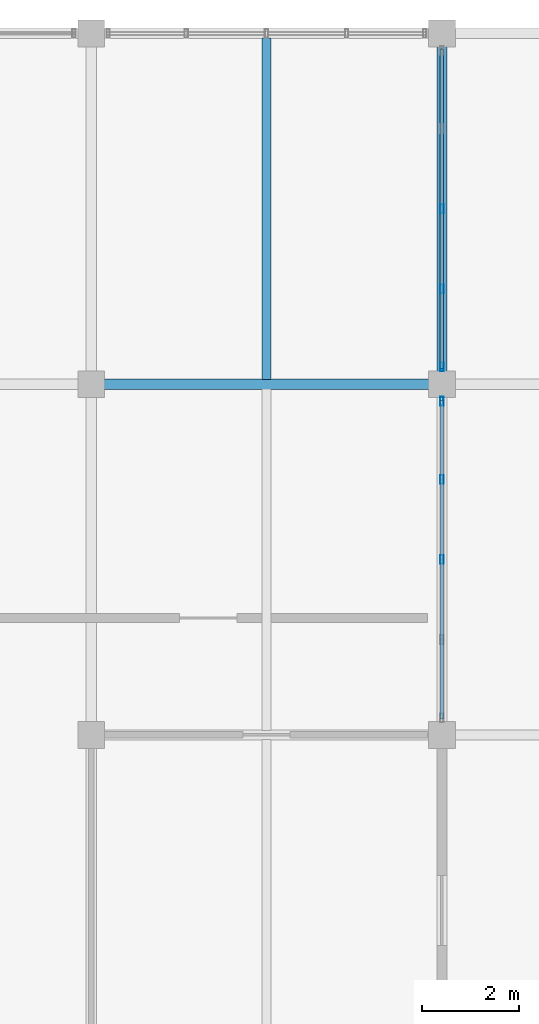
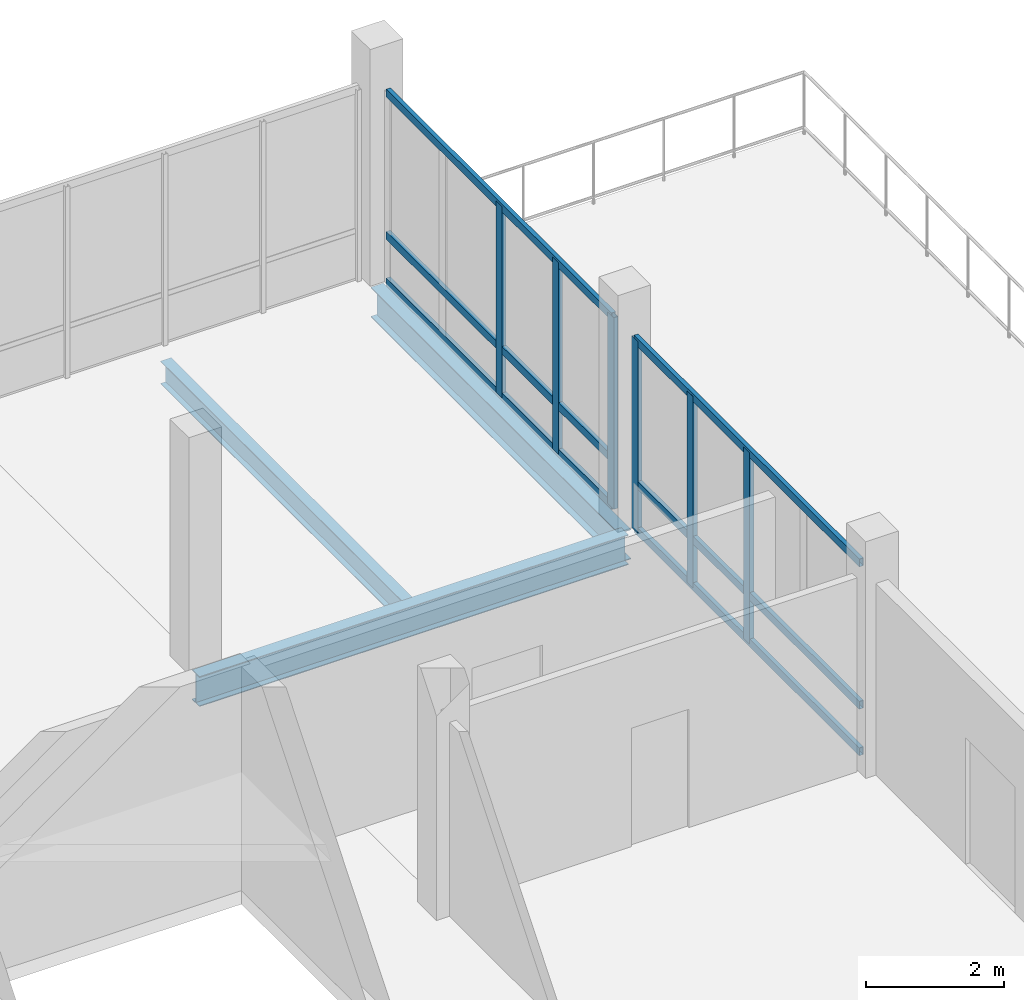
# One storey, part 26 of 47: 12 members, 3 beams, 2 elements without a shape of their own.
"""IFC4 building model written with IfcOpenShell, lengths in metres."""

from ifc_helpers import new_model, si_unit, direction, frame, origin, origin_2d, place, context, subcontext, project, spatial, hollow_rectangle, i_section, extrude, material, material_profile, profile_set, type_object, element, aggregate, save


model = new_model("IFC4")

# Units and contexts
model_context = context("Model", 3, precision=1e-05, world=origin(), true_north=direction((0.0, 1.0)))
body_context = subcontext(model_context, "Body", "Model", "MODEL_VIEW")
ifc_project = project(units=[si_unit("LENGTHUNIT", "METRE"), si_unit("AREAUNIT", "SQUARE_METRE"), si_unit("VOLUMEUNIT", "CUBIC_METRE"), si_unit("PLANEANGLEUNIT", "RADIAN"), si_unit("MASSUNIT", "GRAM", prefix="KILO")], contexts=[model_context])

# Site, building, storey
site_placement = place(None, origin())
site = spatial("IfcSite", under=ifc_project, at=site_placement, CompositionType="ELEMENT")
building_placement = place(site_placement, origin())
building = spatial("IfcBuilding", under=site, at=building_placement, Name="Yarey Park Central Fire Station", CompositionType="ELEMENT")
storey_placement = place(building_placement, frame((0.0, 0.0, 18.0)))
storey = spatial("IfcBuildingStorey", under=building, at=storey_placement, Name="L05", CompositionType="ELEMENT", Elevation=18.0)

# Curtain wall, members
ifc_material_1 = material(Name="Anodized Aluminium Frame", Category="aluminium")
curtain_wall_type = type_object("IfcCurtainWallType", Name="ENV_CW_HQ_L05", PredefinedType="NOTDEFINED", material=ifc_material_1)
curtain_wall_1_placement = place(storey_placement, origin())
curtain_wall_1 = element("IfcCurtainWall", 1, at=curtain_wall_1_placement, inside=storey, type_object=curtain_wall_type, Name="CW_L05_V4_E_100", PredefinedType="NOTDEFINED")
ifc_material_profile_1 = material_profile(ifc_material_1, hollow_rectangle(XDim=0.070068359375, YDim=0.179931640625, WallThickness=0.00390625, at=origin_2d()), Name="ALU 180x70x4")
ifc_profile_set_1 = profile_set([ifc_material_profile_1], Name="Anodized Aluminium Frame")
member_type_1 = type_object("IfcMemberType", Name="ENV_CW_MULLION", PredefinedType="MULLION", material=ifc_profile_set_1)
member_1_placement = place(storey_placement, frame((151.199951171875, 104.39990234375, 0.0), z_axis=(0.0, 0.0, 1.0), x_axis=(1.0, 0.0, 0.0)))
member_1 = element("IfcMember", 2, at=member_1_placement, type_object=member_type_1, Name="CW_L05_V4_E_100_MUL3", PredefinedType="MULLION", context=body_context, shape_type="SweptSolid", body=[
    extrude(hollow_rectangle(XDim=0.070068359375, YDim=0.179931640625, WallThickness=0.00390625, at=origin_2d()), origin(), (0.0, 0.0, 1.0), 3.39990234375),
])
member_2_placement = place(storey_placement, frame((151.199951171875, 106.044921875, 0.0), z_axis=(0.0, 0.0, 1.0), x_axis=(1.0, 0.0, 0.0)))
member_2 = element("IfcMember", 3, at=member_2_placement, type_object=member_type_1, Name="CW_L05_V4_E_100_MUL4", PredefinedType="MULLION", context=body_context, shape_type="SweptSolid", body=[
    extrude(hollow_rectangle(XDim=0.070068359375, YDim=0.179931640625, WallThickness=0.00390625, at=origin_2d()), origin(), (0.0, 0.0, 1.0), 3.39990234375),
])
member_3_placement = place(storey_placement, frame((151.199951171875, 107.64990234375, 0.0), z_axis=(0.0, 0.0, 1.0), x_axis=(1.0, 0.0, 0.0)))
member_3 = element("IfcMember", 4, at=member_3_placement, type_object=member_type_1, Name="CW_L05_V4_E_100_MUL5", PredefinedType="MULLION", context=body_context, shape_type="SweptSolid", body=[
    extrude(hollow_rectangle(XDim=0.070068359375, YDim=0.179931640625, WallThickness=0.00390625, at=origin_2d()), origin(), (0.0, 0.0, 1.0), 3.39990234375),
])

curtain_wall_2_placement = place(storey_placement, origin())
curtain_wall_2 = element("IfcCurtainWall", 5, at=curtain_wall_2_placement, inside=storey, type_object=curtain_wall_type, Name="CW_L05_V4_E_108", PredefinedType="NOTDEFINED")
member_4_placement = place(storey_placement, frame((151.199951171875, 108.35009765625, 0.0), z_axis=(0.0, 0.0, 1.0), x_axis=(1.0, 0.0, 0.0)))
member_4 = element("IfcMember", 6, at=member_4_placement, type_object=member_type_1, Name="CW_L05_V4_E_108_MUL1", PredefinedType="MULLION", context=body_context, shape_type="SweptSolid", body=[
    extrude(hollow_rectangle(XDim=0.070068359375, YDim=0.179931640625, WallThickness=0.00390625, at=origin_2d()), origin(), (0.0, 0.0, 1.0), 3.39990234375),
])
member_5_placement = place(storey_placement, frame((151.199951171875, 109.955078125, 0.0), z_axis=(0.0, 0.0, 1.0), x_axis=(1.0, 0.0, 0.0)))
member_5 = element("IfcMember", 7, at=member_5_placement, type_object=member_type_1, Name="CW_L05_V4_E_108_MUL2", PredefinedType="MULLION", context=body_context, shape_type="SweptSolid", body=[
    extrude(hollow_rectangle(XDim=0.070068359375, YDim=0.179931640625, WallThickness=0.00390625, at=origin_2d()), origin(), (0.0, 0.0, 1.0), 3.39990234375),
])
member_6_placement = place(storey_placement, frame((151.199951171875, 111.60009765625, 0.0), z_axis=(0.0, 0.0, 1.0), x_axis=(1.0, 0.0, 0.0)))
member_6 = element("IfcMember", 8, at=member_6_placement, type_object=member_type_1, Name="CW_L05_V4_E_108_MUL3", PredefinedType="MULLION", context=body_context, shape_type="SweptSolid", body=[
    extrude(hollow_rectangle(XDim=0.070068359375, YDim=0.179931640625, WallThickness=0.00390625, at=origin_2d()), origin(), (0.0, 0.0, 1.0), 3.39990234375),
])

# Member
ifc_material_profile_2 = material_profile(ifc_material_1, hollow_rectangle(XDim=0.070068359375, YDim=0.139892578125, WallThickness=0.00390625, at=origin_2d()), Name="ALU 140x70x4")
ifc_profile_set_2 = profile_set([ifc_material_profile_2], Name="Anodized Aluminium Frame")
member_type_2 = type_object("IfcMemberType", Name="ENV_CW_TRANSOM", PredefinedType="USERDEFINED", material=ifc_profile_set_2)
member_7_placement = place(storey_placement, frame((151.199951171875, 101.125, 0.02490234375), z_axis=(0.0, 1.0, 0.0), x_axis=(-1.0, 0.0, 0.0)))
member_7 = element("IfcMember", 9, at=member_7_placement, type_object=member_type_2, Name="CW_L05_V4_E_100_TRN1", ObjectType="TRANSOM", PredefinedType="USERDEFINED", context=body_context, shape_type="SweptSolid", body=[
    extrude(hollow_rectangle(XDim=0.070068359375, YDim=0.139892578125, WallThickness=0.00390625, at=origin_2d()), origin(), (0.0, 0.0, 1.0), 6.550048828125),
])

member_8_placement = place(storey_placement, frame((151.199951171875, 101.125, 0.85009765625), z_axis=(0.0, 1.0, 0.0), x_axis=(-1.0, 0.0, 0.0)))
member_8 = element("IfcMember", 10, at=member_8_placement, type_object=member_type_2, Name="CW_L05_V4_E_100_TRN2", ObjectType="TRANSOM", PredefinedType="USERDEFINED", context=body_context, shape_type="SweptSolid", body=[
    extrude(hollow_rectangle(XDim=0.070068359375, YDim=0.139892578125, WallThickness=0.00390625, at=origin_2d()), origin(), (0.0, 0.0, 1.0), 6.550048828125),
])

member_9_placement = place(storey_placement, frame((151.199951171875, 101.125, 3.375), z_axis=(0.0, 1.0, 0.0), x_axis=(-1.0, 0.0, 0.0)))
member_9 = element("IfcMember", 11, at=member_9_placement, type_object=member_type_2, Name="CW_L05_V4_E_100_TRN3", ObjectType="TRANSOM", PredefinedType="USERDEFINED", context=body_context, shape_type="SweptSolid", body=[
    extrude(hollow_rectangle(XDim=0.070068359375, YDim=0.139892578125, WallThickness=0.00390625, at=origin_2d()), origin(), (0.0, 0.0, 1.0), 6.550048828125),
])

aggregate(curtain_wall_1, [member_1, member_2, member_3, member_7, member_8, member_9])

member_10_placement = place(storey_placement, frame((151.199951171875, 108.324951171875, 0.02490234375), z_axis=(0.0, 1.0, 0.0), x_axis=(-1.0, 0.0, 0.0)))
member_10 = element("IfcMember", 12, at=member_10_placement, type_object=member_type_2, Name="CW_L05_V4_E_108_TRN1", ObjectType="TRANSOM", PredefinedType="USERDEFINED", context=body_context, shape_type="SweptSolid", body=[
    extrude(hollow_rectangle(XDim=0.070068359375, YDim=0.139892578125, WallThickness=0.00390625, at=origin_2d()), origin(), (0.0, 0.0, 1.0), 6.550048828125),
])

member_11_placement = place(storey_placement, frame((151.199951171875, 108.324951171875, 0.85009765625), z_axis=(0.0, 1.0, 0.0), x_axis=(-1.0, 0.0, 0.0)))
member_11 = element("IfcMember", 13, at=member_11_placement, type_object=member_type_2, Name="CW_L05_V4_E_108_TRN2", ObjectType="TRANSOM", PredefinedType="USERDEFINED", context=body_context, shape_type="SweptSolid", body=[
    extrude(hollow_rectangle(XDim=0.070068359375, YDim=0.139892578125, WallThickness=0.00390625, at=origin_2d()), origin(), (0.0, 0.0, 1.0), 6.550048828125),
])

member_12_placement = place(storey_placement, frame((151.199951171875, 108.324951171875, 3.375), z_axis=(0.0, 1.0, 0.0), x_axis=(-1.0, 0.0, 0.0)))
member_12 = element("IfcMember", 14, at=member_12_placement, type_object=member_type_2, Name="CW_L05_V4_E_108_TRN3", ObjectType="TRANSOM", PredefinedType="USERDEFINED", context=body_context, shape_type="SweptSolid", body=[
    extrude(hollow_rectangle(XDim=0.070068359375, YDim=0.139892578125, WallThickness=0.00390625, at=origin_2d()), origin(), (0.0, 0.0, 1.0), 6.550048828125),
])

aggregate(curtain_wall_2, [member_4, member_5, member_6, member_10, member_11, member_12])

# Beams
ifc_material_2 = material(Name="Steel ASTM A992 Gr. 50", Category="steel")
ifc_material_profile_3 = material_profile(ifc_material_2, i_section(OverallWidth=0.208984375, OverallDepth=0.532958984375, WebThickness=0.01025390625, FlangeThickness=0.015625, at=origin_2d()), Name="W530x92")
ifc_profile_set_3 = profile_set([ifc_material_profile_3], Name="Steel ASTM A992 Gr. 50")
beam_type_1 = type_object("IfcBeamType", Name="STR_BM_W530", PredefinedType="BEAM", material=ifc_profile_set_3)
for number, where, z_axis, x_axis, name in (
    (15, (144.0, 108.0, -0.506591796875), (1.0, 0.0, 0.0), (0.0, 1.0, 0.0), "BMX L05 Y1080 X1440"),
    (16, (151.199951171875, 108.0, -0.506591796875), (0.0, 1.0, 0.0), (-1.0, 0.0, 0.0), "BMY L05 X1512 Y1080"),
):
    element("IfcBeam", number, at=place(storey_placement, frame(where, z_axis=z_axis, x_axis=x_axis)), inside=storey, type_object=beam_type_1, Name=name, PredefinedType="BEAM", context=body_context, shape_type="SweptSolid", body=[
        extrude(i_section(OverallWidth=0.208984375, OverallDepth=0.532958984375, WebThickness=0.01025390625, FlangeThickness=0.015625, at=origin_2d()), origin(), (0.0, 0.0, 1.0), 7.199951171875),
    ])
ifc_material_profile_4 = material_profile(ifc_material_2, i_section(OverallWidth=0.177978515625, OverallDepth=0.406982421875, WebThickness=0.0078125, FlangeThickness=0.0126953125, at=origin_2d()), Name="W410x60")
ifc_profile_set_4 = profile_set([ifc_material_profile_4], Name="Steel ASTM A992 Gr. 50")
beam_type_2 = type_object("IfcBeamType", Name="STR_JST_W410", PredefinedType="JOIST", material=ifc_profile_set_4)
beam_placement = place(storey_placement, frame((147.60009765625, 108.094970703125, -0.443603515625), z_axis=(0.0, 1.0, 0.0), x_axis=(-1.0, 0.0, 0.0)))
element("IfcBeam", 17, at=beam_placement, inside=storey, type_object=beam_type_2, Name="JST L05 X1476 Y1080", PredefinedType="JOIST", context=body_context, shape_type="SweptSolid", body=[
    extrude(i_section(OverallWidth=0.177978515625, OverallDepth=0.406982421875, WebThickness=0.0078125, FlangeThickness=0.0126953125, at=origin_2d()), origin(), (0.0, 0.0, 1.0), 7.010009765625),
])

save(model, "model.ifc")
